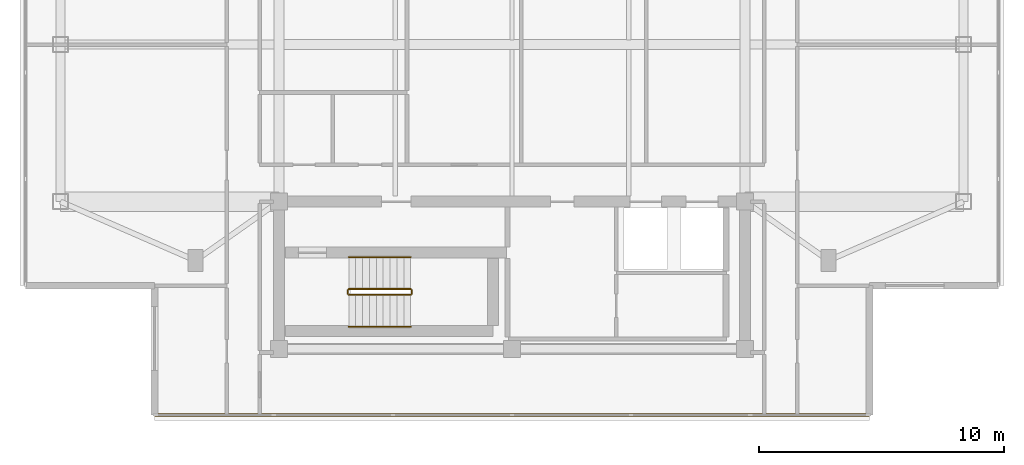
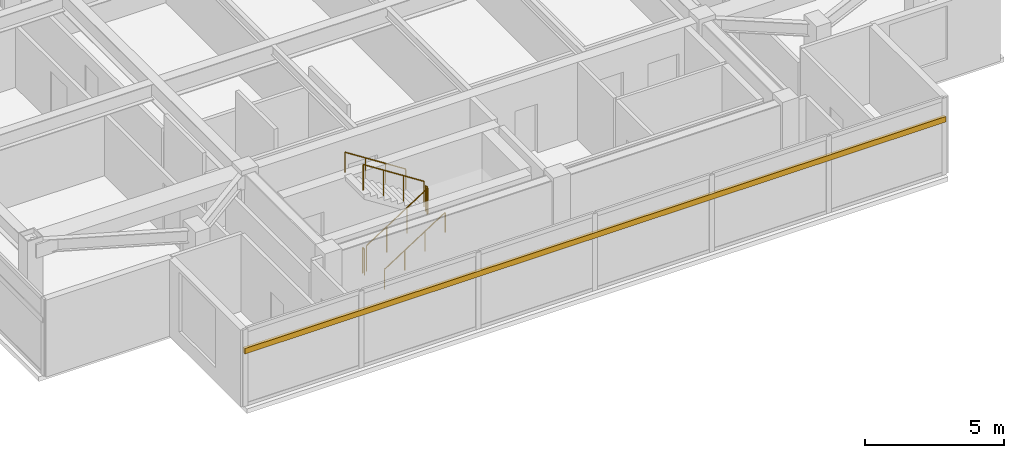
# One storey, part 8 of 10: 6 railings, 1 shading device.
"""IFC4 building model written with IfcOpenShell, lengths in metres."""

from ifc_helpers import new_model, si_unit, direction, frame, origin, origin_2d, place, context, subcontext, project, spatial, rectangle, circle, extrude, material, material_profile, profile_set, type_object, element, save


model = new_model("IFC4")

# Units and contexts
model_context = context("Model", 3, precision=1e-05, world=origin(), true_north=direction((0.0, 1.0)))
body_context = subcontext(model_context, "Body", "Model", "MODEL_VIEW")
ifc_project = project(units=[si_unit("LENGTHUNIT", "METRE"), si_unit("AREAUNIT", "SQUARE_METRE"), si_unit("VOLUMEUNIT", "CUBIC_METRE"), si_unit("PLANEANGLEUNIT", "RADIAN"), si_unit("MASSUNIT", "GRAM", prefix="KILO")], contexts=[model_context])

# Site, building, storey
site_placement = place(None, origin())
site = spatial("IfcSite", under=ifc_project, at=site_placement, CompositionType="ELEMENT")
building_placement = place(site_placement, origin())
building = spatial("IfcBuilding", under=site, at=building_placement, Name="Mirazonda Arch Towers", CompositionType="ELEMENT")
storey_placement = place(building_placement, frame((0.0, 0.0, 249.10009765625)))
storey = spatial("IfcBuildingStorey", under=building, at=storey_placement, Name="L71", CompositionType="ELEMENT", Elevation=249.10009765625)

# Shading device
ifc_material_1 = material(Name="Kiln-Fired Architectural Terracotta", Category="masonry")
ifc_material_profile = material_profile(ifc_material_1, rectangle(XDim=0.1201171875, YDim=0.239990234375, at=origin_2d()), Name="TERRA-BAG-120x240")
ifc_profile_set = profile_set([ifc_material_profile], Name="Kiln-Fired Architectural Terracotta")
shading_device_type = type_object("IfcShadingDeviceType", Name="BAGUETTE-1", PredefinedType="USERDEFINED", material=ifc_profile_set)
shading_device_placement = place(storey_placement, frame((35.06494140625, 9.7099609375, 2.43359375), z_axis=(-1.0, 0.0, 0.0), x_axis=(0.0, -1.0, 0.0)))
element("IfcShadingDevice", 1, at=shading_device_placement, inside=storey, type_object=shading_device_type, Name="L71 Glazed Terracotta Sun-Screen Baguette CW-L71-T1-S", ObjectType="BAGUETTE", PredefinedType="USERDEFINED", context=body_context, shape_type="SweptSolid", body=[
    extrude(rectangle(XDim=0.1201171875, YDim=0.239990234375, at=origin_2d()), origin(), (0.0, 0.0, 1.0), 29.1298828125),
])

# Railings
ifc_material_2 = material(Name="Architectural Brushed Steel S355", Category="steel")
railing_type_1 = type_object("IfcRailingType", Name="GUARD-STAIR-1120", PredefinedType="GUARDRAIL", material=ifc_material_2)
railing_1_placement = place(storey_placement, frame((13.85009765625, 14.60009765625, 0.179931640625)))
element("IfcRailing", 2, at=railing_1_placement, inside=storey, type_object=railing_type_1, Name="L71 ST-T1S stair guard 1", PredefinedType="GUARDRAIL", context=body_context, shape_type="SweptSolid", body=[
    extrude(circle(Radius=0.02392578125, at=origin_2d()), frame((0.0, 0.0, 1.1259765625), z_axis=(0.841199657755, 0.0, 0.540724639528), x_axis=(0.0, 1.0, 0.0)), (0.0, 0.0, 1.0), 2.995849609375),
    extrude(circle(Radius=0.02099609375, at=origin_2d()), origin(), (0.0, 0.0, 1.0), 1.101806640625),
    extrude(circle(Radius=0.02099609375, at=origin_2d()), frame((0.840087890625, 0.0, 0.5400390625)), (0.0, 0.0, 1.0), 1.101806640625),
    extrude(circle(Radius=0.02099609375, at=origin_2d()), frame((1.679931640625, 0.0, 1.079833984375)), (0.0, 0.0, 1.0), 1.101806640625),
    extrude(circle(Radius=0.02099609375, at=origin_2d()), frame((2.52001953125, 0.0, 1.619873046875)), (0.0, 0.0, 1.0), 1.101806640625),
])
railing_2_placement = place(storey_placement, frame((16.419921875, 14.64990234375, 1.7998046875)))
element("IfcRailing", 3, at=railing_2_placement, inside=storey, type_object=railing_type_1, Name="L71 ST-T1S stair guard 2", PredefinedType="GUARDRAIL", context=body_context, shape_type="SweptSolid", body=[
    extrude(circle(Radius=0.02392578125, at=origin_2d()), frame((0.0, 0.0, 1.1259765625), z_axis=(0.0, 1.0, 0.0), x_axis=(-1.0, 0.0, 0.0)), (0.0, 0.0, 1.0), 0.14013671875),
    extrude(circle(Radius=0.02099609375, at=origin_2d()), origin(), (0.0, 0.0, 1.0), 1.101806640625),
    extrude(circle(Radius=0.02099609375, at=origin_2d()), frame((0.0, 0.14013671875, 0.0)), (0.0, 0.0, 1.0), 1.101806640625),
])
railing_3_placement = place(storey_placement, frame((16.3701171875, 14.840087890625, 1.97998046875)))
element("IfcRailing", 4, at=railing_3_placement, inside=storey, type_object=railing_type_1, Name="L71 ST-T1S stair guard 3", PredefinedType="GUARDRAIL", context=body_context, shape_type="SweptSolid", body=[
    extrude(circle(Radius=0.02392578125, at=origin_2d()), frame((0.0, 0.0, 1.1259765625), z_axis=(-0.841199657755, 0.0, 0.540724639528), x_axis=(0.0, -1.0, 0.0)), (0.0, 0.0, 1.0), 2.995849609375),
    extrude(circle(Radius=0.02099609375, at=origin_2d()), origin(), (0.0, 0.0, 1.0), 1.101806640625),
    extrude(circle(Radius=0.02099609375, at=origin_2d()), frame((-0.840087890625, 0.0, 0.5400390625)), (0.0, 0.0, 1.0), 1.101806640625),
    extrude(circle(Radius=0.02099609375, at=origin_2d()), frame((-1.679931640625, 0.0, 1.079833984375)), (0.0, 0.0, 1.0), 1.101806640625),
    extrude(circle(Radius=0.02099609375, at=origin_2d()), frame((-2.52001953125, 0.0, 1.619873046875)), (0.0, 0.0, 1.0), 1.101806640625),
])
railing_4_placement = place(storey_placement, frame((13.800048828125, 14.64990234375, 0.0)))
element("IfcRailing", 5, at=railing_4_placement, inside=storey, type_object=railing_type_1, Name="L71 ST-T1S stair guard 4", PredefinedType="GUARDRAIL", context=body_context, shape_type="SweptSolid", body=[
    extrude(circle(Radius=0.02392578125, at=origin_2d()), frame((0.0, 0.0, 1.1259765625), z_axis=(0.0, 1.0, 0.0), x_axis=(-1.0, 0.0, 0.0)), (0.0, 0.0, 1.0), 0.14013671875),
    extrude(circle(Radius=0.02099609375, at=origin_2d()), origin(), (0.0, 0.0, 1.0), 1.101806640625),
    extrude(circle(Radius=0.02099609375, at=origin_2d()), frame((0.0, 0.14013671875, 0.0)), (0.0, 0.0, 1.0), 1.101806640625),
])
railing_type_2 = type_object("IfcRailingType", Name="HANDRAIL-915", PredefinedType="HANDRAIL", material=ifc_material_2)
railing_5_placement = place(storey_placement, frame((13.85009765625, 13.300048828125, 0.179931640625)))
element("IfcRailing", 6, at=railing_5_placement, inside=storey, type_object=railing_type_2, Name="L71 ST-T1S stair handrail 1", PredefinedType="HANDRAIL", context=body_context, shape_type="SweptSolid", body=[
    extrude(circle(Radius=0.02392578125, at=origin_2d()), frame((0.0, 0.0, 0.8759765625), z_axis=(0.841199657755, 0.0, 0.540724639528), x_axis=(0.0, 1.0, 0.0)), (0.0, 0.0, 1.0), 2.995849609375),
    extrude(circle(Radius=0.02099609375, at=origin_2d()), origin(), (0.0, 0.0, 1.0), 0.851806640625),
    extrude(circle(Radius=0.02099609375, at=origin_2d()), frame((0.840087890625, 0.0, 0.5400390625)), (0.0, 0.0, 1.0), 0.851806640625),
    extrude(circle(Radius=0.02099609375, at=origin_2d()), frame((1.679931640625, 0.0, 1.079833984375)), (0.0, 0.0, 1.0), 0.851806640625),
    extrude(circle(Radius=0.02099609375, at=origin_2d()), frame((2.52001953125, 0.0, 1.619873046875)), (0.0, 0.0, 1.0), 0.851806640625),
])
railing_6_placement = place(storey_placement, frame((16.3701171875, 16.139892578125, 1.97998046875)))
element("IfcRailing", 7, at=railing_6_placement, inside=storey, type_object=railing_type_2, Name="L71 ST-T1S stair handrail 2", PredefinedType="HANDRAIL", context=body_context, shape_type="SweptSolid", body=[
    extrude(circle(Radius=0.02392578125, at=origin_2d()), frame((0.0, 0.0, 0.8759765625), z_axis=(-0.841199657755, 0.0, 0.540724639528), x_axis=(0.0, -1.0, 0.0)), (0.0, 0.0, 1.0), 2.995849609375),
    extrude(circle(Radius=0.02099609375, at=origin_2d()), origin(), (0.0, 0.0, 1.0), 0.851806640625),
    extrude(circle(Radius=0.02099609375, at=origin_2d()), frame((-0.840087890625, 0.0, 0.5400390625)), (0.0, 0.0, 1.0), 0.851806640625),
    extrude(circle(Radius=0.02099609375, at=origin_2d()), frame((-1.679931640625, 0.0, 1.079833984375)), (0.0, 0.0, 1.0), 0.851806640625),
    extrude(circle(Radius=0.02099609375, at=origin_2d()), frame((-2.52001953125, 0.0, 1.619873046875)), (0.0, 0.0, 1.0), 0.851806640625),
])

save(model, "model.ifc")
